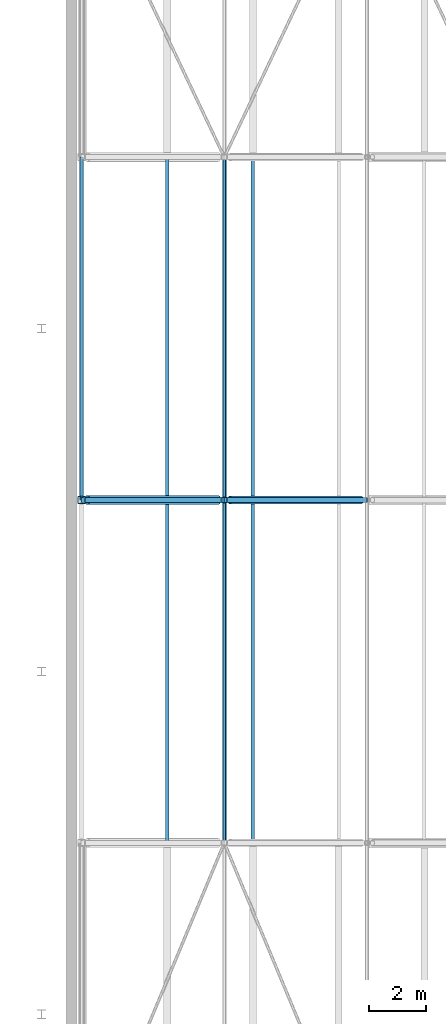
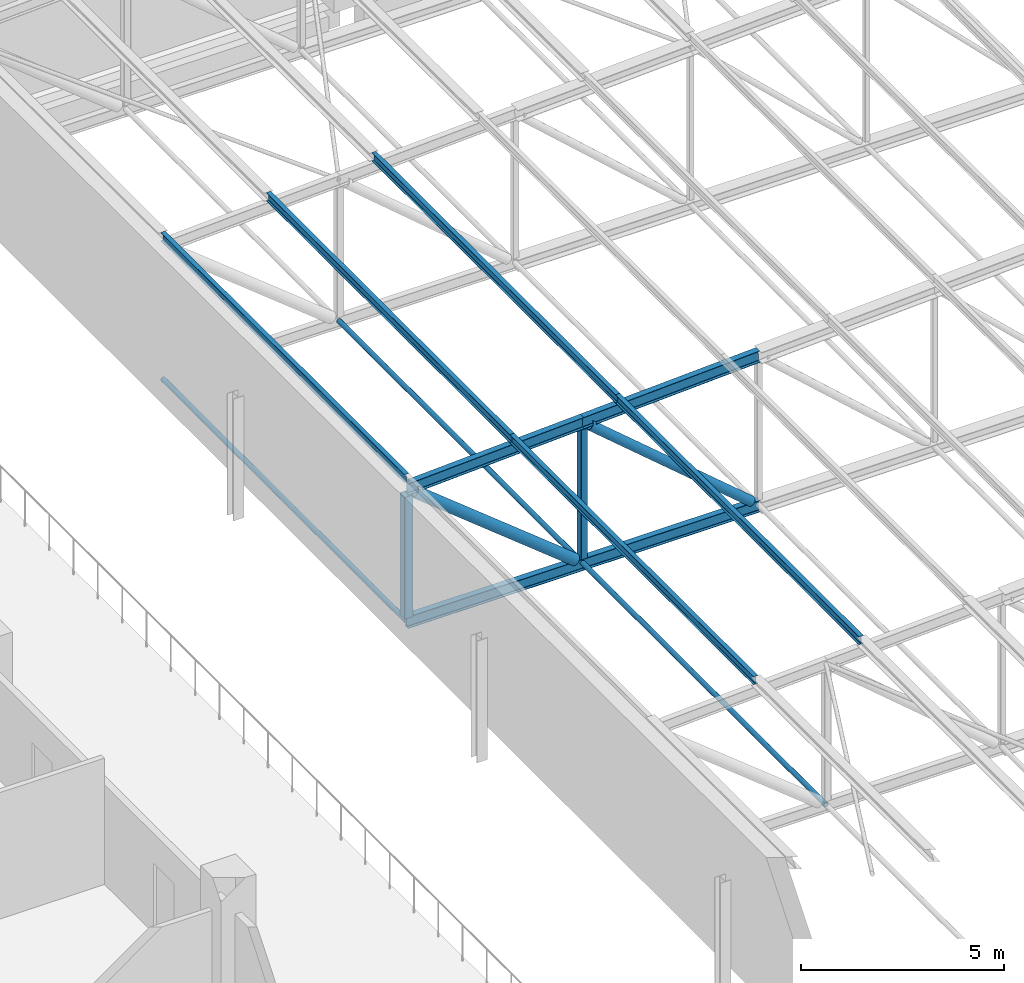
# One storey, part 103 of 156: 16 members.
"""IFC4 building model written with IfcOpenShell, lengths in metres."""

from ifc_helpers import new_model, si_unit, direction, frame, origin, origin_2d, place, context, subcontext, project, spatial, hollow_rectangle, hollow_circle, i_section, extrude, material, material_profile, profile_set, type_object, element, save


model = new_model("IFC4")

# Units and contexts
model_context = context("Model", 3, precision=1e-05, world=origin(), true_north=direction((0.0, 1.0)))
body_context = subcontext(model_context, "Body", "Model", "MODEL_VIEW")
ifc_project = project(units=[si_unit("LENGTHUNIT", "METRE"), si_unit("AREAUNIT", "SQUARE_METRE"), si_unit("VOLUMEUNIT", "CUBIC_METRE"), si_unit("PLANEANGLEUNIT", "RADIAN"), si_unit("MASSUNIT", "GRAM", prefix="KILO")], contexts=[model_context])

# Site, building, storey
site_placement = place(None, origin())
site = spatial("IfcSite", under=ifc_project, at=site_placement, CompositionType="ELEMENT")
building_placement = place(site_placement, origin())
building = spatial("IfcBuilding", under=site, at=building_placement, Name="Lilac Gate Convention Centre", CompositionType="ELEMENT")
storey_placement = place(building_placement, frame((0.0, 0.0, 17.0)))
storey = spatial("IfcBuildingStorey", under=building, at=storey_placement, Name="L03", CompositionType="ELEMENT", Elevation=17.0)

# Members
ifc_material = material(Name="Steel Q355B", Category="steel")
ifc_material_profile_1 = material_profile(ifc_material, hollow_circle(Radius=0.06982421875, WallThickness=0.0048828125, at=origin_2d()), Name="CHS139.7x5")
ifc_profile_set_1 = profile_set([ifc_material_profile_1], Name="Steel Q355B")
member_type_1 = type_object("IfcMemberType", Name="Bottom chord tie CHS139.7x5", PredefinedType="STRUT", material=ifc_profile_set_1)
for number, where, z_axis, x_axis, name in (
    (1, (35.0, 186.00341796875, 0.0), (0.0, 1.0, 0.0), (-1.0, 0.0, 0.0), "ST1 tie bay 14 node 2"),
    (2, (30.0, 198.00341796875, 0.0), (0.0, 1.0, 0.0), (-1.0, 0.0, 0.0), "ST1 tie bay 15 node 1"),
    (3, (35.0, 198.00341796875, 0.0), (0.0, 1.0, 0.0), (-1.0, 0.0, 0.0), "ST1 tie bay 15 node 2"),
):
    element("IfcMember", number, at=place(storey_placement, frame(where, z_axis=z_axis, x_axis=x_axis)), inside=storey, type_object=member_type_1, Name=name, PredefinedType="STRUT", context=body_context, shape_type="SweptSolid", body=[
        extrude(hollow_circle(Radius=0.06982421875, WallThickness=0.0048828125, at=origin_2d()), origin(), (0.0, 0.0, 1.0), 11.9931640625),
    ])
ifc_material_profile_2 = material_profile(ifc_material, i_section(OverallWidth=0.125, OverallDepth=0.25, WebThickness=0.006103515625, FlangeThickness=0.009033203125, FilletRadius=0.008056640625, at=origin_2d()), Name="HN250x125x6x9")
ifc_profile_set_2 = profile_set([ifc_material_profile_2], Name="Steel Q355B")
member_type_2 = type_object("IfcMemberType", Name="Roof purlin HN250x125x6x9", PredefinedType="PURLIN", material=ifc_profile_set_2)
for number, where, z_axis, x_axis, name in (
    (4, (33.0, 186.0, 4.4501953125), (0.0, 1.0, 0.0), (-1.0, 0.0, 0.0), "PU2 purlin bay 14 line 2"),
    (5, (36.0, 186.0, 4.60009765625), (0.0, 1.0, 0.0), (-1.0, 0.0, 0.0), "PU2 purlin bay 14 line 3"),
    (6, (30.0, 198.0, 4.30029296875), (0.0, 1.0, 0.0), (-1.0, 0.0, 0.0), "PU2 purlin bay 15 line 1"),
    (7, (33.0, 198.0, 4.4501953125), (0.0, 1.0, 0.0), (-1.0, 0.0, 0.0), "PU2 purlin bay 15 line 2"),
    (8, (36.0, 198.0, 4.60009765625), (0.0, 1.0, 0.0), (-1.0, 0.0, 0.0), "PU2 purlin bay 15 line 3"),
):
    element("IfcMember", number, at=place(storey_placement, frame(where, z_axis=z_axis, x_axis=x_axis)), inside=storey, type_object=member_type_2, Name=name, PredefinedType="PURLIN", context=body_context, shape_type="SweptSolid", body=[
        extrude(i_section(OverallWidth=0.125, OverallDepth=0.25, WebThickness=0.006103515625, FlangeThickness=0.009033203125, FilletRadius=0.008056640625, at=origin_2d()), origin(), (0.0, 0.0, 1.0), 12.0),
    ])
ifc_material_profile_3 = material_profile(ifc_material, i_section(OverallWidth=0.175048828125, OverallDepth=0.35009765625, WebThickness=0.007080078125, FlangeThickness=0.010986328125, FilletRadius=0.012939453125, at=origin_2d()), Name="HN350x175x7x11")
ifc_profile_set_3 = profile_set([ifc_material_profile_3], Name="Steel Q355B")
member_type_3 = type_object("IfcMemberType", Name="Truss bottom chord HN350x175x7x11", PredefinedType="CHORD", material=ifc_profile_set_3)
for number, where, z_axis, x_axis, name in (
    (9, (30.0, 198.0, 0.0), (1.0, 0.0, 0.0), (0.0, 1.0, 0.0), "TB1 truss 15 bottom chord 1"),
    (10, (35.0, 198.0, 0.0), (1.0, 0.0, 0.0), (0.0, 1.0, 0.0), "TB1 truss 15 bottom chord 2"),
):
    element("IfcMember", number, at=place(storey_placement, frame(where, z_axis=z_axis, x_axis=x_axis)), inside=storey, type_object=member_type_3, Name=name, PredefinedType="CHORD", context=body_context, shape_type="SweptSolid", body=[
        extrude(i_section(OverallWidth=0.175048828125, OverallDepth=0.35009765625, WebThickness=0.007080078125, FlangeThickness=0.010986328125, FilletRadius=0.012939453125, at=origin_2d()), origin(), (0.0, 0.0, 1.0), 5.0),
    ])
ifc_material_profile_4 = material_profile(ifc_material, hollow_circle(Radius=0.136474609375, WallThickness=0.010009765625, at=origin_2d()), Name="CHS273x10")
ifc_profile_set_4 = profile_set([ifc_material_profile_4], Name="Steel Q355B")
member_type_4 = type_object("IfcMemberType", Name="Truss diagonal CHS273x10", PredefinedType="BRACE", material=ifc_profile_set_4)
member_1_placement = place(storey_placement, frame((35.193115234375, 198.0, 4.085693359375), z_axis=(0.761961263863, 0.0, -0.647622600263), x_axis=(0.0, 1.0, 0.0)))
element("IfcMember", 11, at=member_1_placement, inside=storey, type_object=member_type_4, Name="TW2 truss 15 diagonal 2", PredefinedType="BRACE", context=body_context, shape_type="SweptSolid", body=[
    extrude(hollow_circle(Radius=0.136474609375, WallThickness=0.010009765625, at=origin_2d()), origin(), (0.0, 0.0, 1.0), 6.03857421875),
])
ifc_material_profile_5 = material_profile(ifc_material, hollow_circle(Radius=0.161865234375, WallThickness=0.011962890625, at=origin_2d()), Name="CHS323.9x12")
ifc_profile_set_5 = profile_set([ifc_material_profile_5], Name="Steel Q355B")
member_type_5 = type_object("IfcMemberType", Name="Truss diagonal CHS323.9x12", PredefinedType="BRACE", material=ifc_profile_set_5)
member_2_placement = place(storey_placement, frame((30.205322265625, 198.0, 3.835693359375), z_axis=(0.780876938611, 0.0, -0.624684885959), x_axis=(0.0, 1.0, 0.0)))
element("IfcMember", 12, at=member_2_placement, inside=storey, type_object=member_type_5, Name="TW1 truss 15 diagonal 1", PredefinedType="BRACE", context=body_context, shape_type="SweptSolid", body=[
    extrude(hollow_circle(Radius=0.161865234375, WallThickness=0.011962890625, at=origin_2d()), origin(), (0.0, 0.0, 1.0), 5.860107421875),
])
ifc_material_profile_6 = material_profile(ifc_material, i_section(OverallWidth=0.175048828125, OverallDepth=0.35009765625, WebThickness=0.007080078125, FlangeThickness=0.010986328125, FilletRadius=0.012939453125, at=origin_2d()), Name="HN350x175x7x11")
ifc_profile_set_6 = profile_set([ifc_material_profile_6], Name="Steel Q355B")
member_type_6 = type_object("IfcMemberType", Name="Truss top chord HN350x175x7x11", PredefinedType="CHORD", material=ifc_profile_set_6)
for number, where, z_axis, x_axis, name in (
    (13, (30.0, 198.0, 4.0), (0.998752338878, 0.0, 0.049937616944), (0.0, 1.0, 0.0), "TT1 truss 15 top chord 1"),
    (14, (35.0, 198.0, 4.25), (0.998752338878, 0.0, 0.049937616944), (0.0, 1.0, 0.0), "TT1 truss 15 top chord 2"),
):
    element("IfcMember", number, at=place(storey_placement, frame(where, z_axis=z_axis, x_axis=x_axis)), inside=storey, type_object=member_type_6, Name=name, PredefinedType="CHORD", context=body_context, shape_type="SweptSolid", body=[
        extrude(i_section(OverallWidth=0.175048828125, OverallDepth=0.35009765625, WebThickness=0.007080078125, FlangeThickness=0.010986328125, FilletRadius=0.012939453125, at=origin_2d()), origin(), (0.0, 0.0, 1.0), 5.00634765625),
    ])
ifc_material_profile_7 = material_profile(ifc_material, hollow_rectangle(XDim=0.199951171875, YDim=0.199951171875, WallThickness=0.008056640625, InnerFilletRadius=0.011962890625, OuterFilletRadius=0.02001953125, at=origin_2d()), Name="SHS200x200x8")
ifc_profile_set_7 = profile_set([ifc_material_profile_7], Name="Steel Q355B")
member_type_7 = type_object("IfcMemberType", Name="Truss vertical SHS200x200x8", PredefinedType="STRUT", material=ifc_profile_set_7)
member_3_placement = place(storey_placement, frame((35.0, 198.0, 0.175048828125), z_axis=(0.0, 0.0, 1.0), x_axis=(1.0, 0.0, 0.0)))
element("IfcMember", 15, at=member_3_placement, inside=storey, type_object=member_type_7, Name="TV2 truss 15 vertical 2", PredefinedType="STRUT", context=body_context, shape_type="SweptSolid", body=[
    extrude(hollow_rectangle(XDim=0.199951171875, YDim=0.199951171875, WallThickness=0.008056640625, InnerFilletRadius=0.011962890625, OuterFilletRadius=0.02001953125, at=origin_2d()), origin(), (0.0, 0.0, 1.0), 3.899658203125),
])
ifc_material_profile_8 = material_profile(ifc_material, hollow_rectangle(XDim=0.25, YDim=0.25, WallThickness=0.010009765625, InnerFilletRadius=0.014892578125, OuterFilletRadius=0.02490234375, at=origin_2d()), Name="SHS250x250x10")
ifc_profile_set_8 = profile_set([ifc_material_profile_8], Name="Steel Q355B")
member_type_8 = type_object("IfcMemberType", Name="Truss vertical SHS250x250x10", PredefinedType="STRUT", material=ifc_profile_set_8)
member_4_placement = place(storey_placement, frame((30.0, 198.0, 0.175048828125), z_axis=(0.0, 0.0, 1.0), x_axis=(1.0, 0.0, 0.0)))
element("IfcMember", 16, at=member_4_placement, inside=storey, type_object=member_type_8, Name="TV1 truss 15 vertical 1", PredefinedType="STRUT", context=body_context, shape_type="SweptSolid", body=[
    extrude(hollow_rectangle(XDim=0.25, YDim=0.25, WallThickness=0.010009765625, InnerFilletRadius=0.014892578125, OuterFilletRadius=0.02490234375, at=origin_2d()), origin(), (0.0, 0.0, 1.0), 3.649658203125),
])

save(model, "model.ifc")
